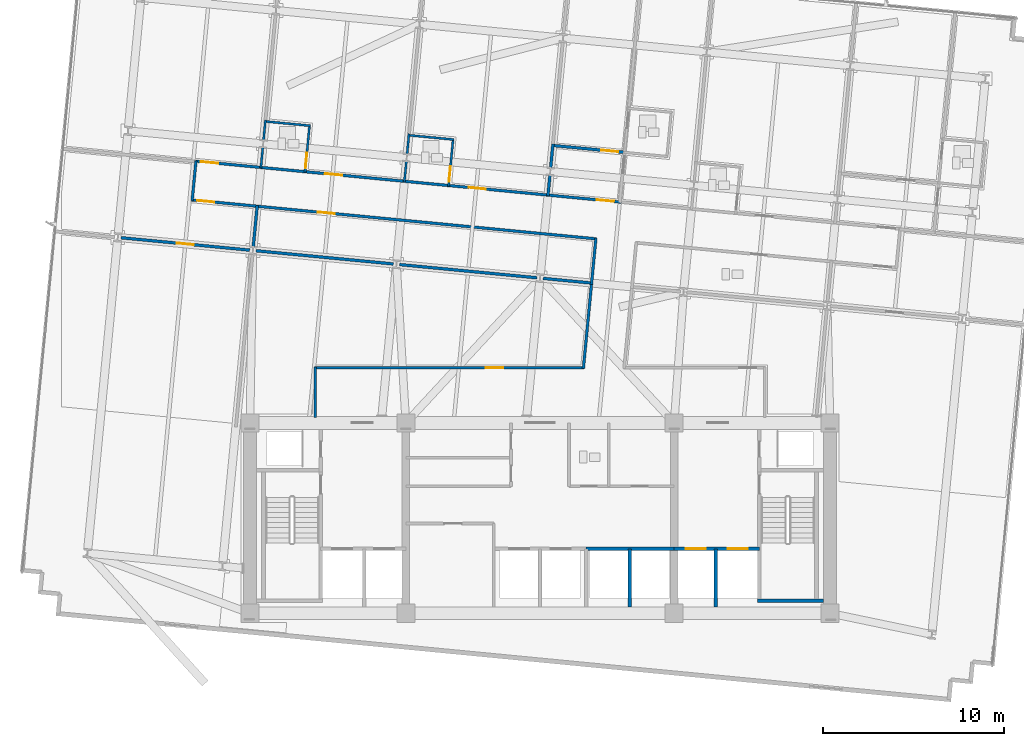
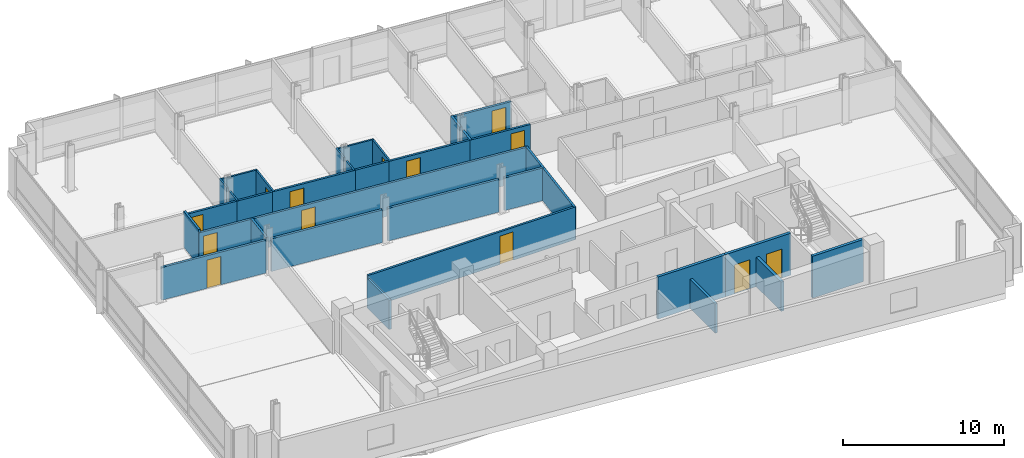
# One storey, part 11 of 18: 34 walls, 13 doors, 13 openings.
"""IFC4 building model written with IfcOpenShell, lengths in metres."""

from ifc_helpers import new_model, si_unit, direction, frame, frame_2d, origin, place, context, subcontext, project, spatial, rectangle, extrude, material, layer, layer_set, type_object, element, fill, save


model = new_model("IFC4")

# Units and contexts
model_context = context("Model", 3, precision=1e-05, world=origin(), true_north=direction((0.0, 1.0)))
body_context = subcontext(model_context, "Body", "Model", "MODEL_VIEW")
ifc_project = project(units=[si_unit("LENGTHUNIT", "METRE"), si_unit("AREAUNIT", "SQUARE_METRE"), si_unit("VOLUMEUNIT", "CUBIC_METRE"), si_unit("PLANEANGLEUNIT", "RADIAN"), si_unit("MASSUNIT", "GRAM", prefix="KILO")], contexts=[model_context])

# Site, building, storey
site_placement = place(None, origin())
site = spatial("IfcSite", under=ifc_project, at=site_placement, CompositionType="ELEMENT")
building_placement = place(site_placement, origin())
building = spatial("IfcBuilding", under=site, at=building_placement, Name="Solmavex Isthmus Hotel", CompositionType="ELEMENT")
storey_placement = place(building_placement, frame((0.0, 0.0, 135.89990234375)))
storey = spatial("IfcBuildingStorey", under=building, at=storey_placement, Name="L36", CompositionType="ELEMENT", Elevation=135.89990234375)

# Walls
ifc_material_1 = material(Name="Gypsum plasterboard lining", Category="gypsum")
ifc_layer_1 = layer(ifc_material_1, 0.159912109375)
ifc_layer_set_1 = layer_set([ifc_layer_1], Name="Gypsum plasterboard lining")
wall_type_1 = type_object("IfcWallType", Name="IW-COMP-160", PredefinedType="PARTITIONING", material=ifc_layer_set_1)
wall_1_placement = place(storey_placement, frame((0.55078125, 11.196044921875, 0.0), z_axis=(0.0, 0.0, 1.0), x_axis=(-0.096017994315, -0.995379598328, 0.0)))
element("IfcWall", 1, at=wall_1_placement, inside=storey, type_object=wall_type_1, Name="Interior Partition Wall W-L36-P038", PredefinedType="PARTITIONING", context=body_context, shape_type="SweptSolid", body=[
    extrude(rectangle(XDim=1.172119140625, YDim=0.159912109375, at=frame_2d((0.5859375, 0.0))), origin(), (0.0, 0.0, 1.0), 2.4794921875),
])
wall_2_placement = place(storey_placement, frame((0.713623046875, 12.88818359375, 0.0), z_axis=(0.0, 0.0, 1.0), x_axis=(-0.095809035449, -0.995399733136, 0.0)))
element("IfcWall", 2, at=wall_2_placement, inside=storey, type_object=wall_type_1, Name="Interior Partition Wall W-L36-P039", PredefinedType="PARTITIONING", context=body_context, shape_type="SweptSolid", body=[
    extrude(rectangle(XDim=1.347900390625, YDim=0.159912109375, at=frame_2d((0.673828125, 0.0))), origin(), (0.0, 0.0, 1.0), 2.4794921875),
])

# Wall, opening, door
wall_3_placement = place(storey_placement, frame((0.666015625, 12.810302734375, 0.0), z_axis=(0.0, 0.0, 1.0), x_axis=(0.995396785546, -0.095839654238, 0.0)))
wall_3 = element("IfcWall", 3, at=wall_3_placement, inside=storey, type_object=wall_type_1, Name="Interior Partition Wall W-L36-P042", PredefinedType="PARTITIONING", context=body_context, shape_type="SweptSolid", body=[
    extrude(rectangle(XDim=4.05810546875, YDim=0.159912109375, at=frame_2d((2.029052734375, 0.0))), origin(), (0.0, 0.0, 1.0), 2.4794921875),
])
opening_1_placement = place(wall_3_placement, frame((2.723388671875, 0.0, 0.0)))
opening_1 = element("IfcOpeningElement", 4, at=opening_1_placement, cuts=wall_3, Name="Opening ID-C095", PredefinedType="OPENING", context=body_context, shape_type="SweptSolid", body=[
    extrude(rectangle(XDim=0.949951171875, YDim=2.14990234375, at=frame_2d((0.47509765625, 1.074951171875))), frame((0.0, 0.08984375, 0.0), z_axis=(0.0, -1.0, 0.0), x_axis=(1.0, 0.0, 0.0)), (0.0, 0.0, 1.0), 0.179931640625),
])
ifc_material_2 = material(Name="Hardwood timber", Category="wood")
door_type_1 = type_object("IfcDoorType", Name="IDR-FD60-0950", OperationType="NOTDEFINED", PredefinedType="DOOR", material=ifc_material_2)
door_1_placement = place(opening_1_placement, origin())
door_1 = element("IfcDoor", 5, at=door_1_placement, inside=storey, type_object=door_type_1, Name="Diplomatic Suite Master Bedroom Door L36-07", OperationType="SINGLE_SWING_LEFT", OverallHeight=2.14990234375, OverallWidth=0.949951171875, PredefinedType="DOOR", context=body_context, shape_type="SweptSolid", body=[
    extrude(rectangle(XDim=0.949951171875, YDim=2.14990234375, at=frame_2d((0.47509765625, 1.074951171875))), frame((0.0, 0.02490234375, 0.0), z_axis=(0.0, -1.0, 0.0), x_axis=(1.0, 0.0, 0.0)), (0.0, 0.0, 1.0), 0.050048828125),
])
fill(opening_1, door_1)

# Wall
wall_4_placement = place(storey_placement, frame((-15.598876953125, 9.493896484375, 0.0), z_axis=(0.0, 0.0, 1.0), x_axis=(-0.09580488871, -0.995400132258, 0.0)))
element("IfcWall", 6, at=wall_4_placement, inside=storey, type_object=wall_type_1, Name="Interior Partition Wall W-L36-P071", PredefinedType="PARTITIONING", context=body_context, shape_type="SweptSolid", body=[
    extrude(rectangle(XDim=2.31396484375, YDim=0.159912109375, at=frame_2d((1.156982421875, 0.0))), origin(), (0.0, 0.0, 1.0), 2.4794921875),
])

# Wall, opening, door
wall_5_placement = place(storey_placement, frame((-16.0126953125, 7.0322265625, 0.0), z_axis=(0.0, 0.0, 1.0), x_axis=(-0.995394349304, 0.095864953831, 0.0)))
wall_5 = element("IfcWall", 7, at=wall_5_placement, inside=storey, type_object=wall_type_1, Name="Interior Partition Wall W-L36-P073", PredefinedType="PARTITIONING", context=body_context, shape_type="SweptSolid", body=[
    extrude(rectangle(XDim=7.135986328125, YDim=0.159912109375, at=frame_2d((3.56787109375, 0.0))), origin(), (0.0, 0.0, 1.0), 2.4794921875),
])
opening_2_placement = place(wall_5_placement, frame((3.093017578125, 0.0, 0.0)))
opening_2 = element("IfcOpeningElement", 8, at=opening_2_placement, cuts=wall_5, Name="Opening ID-C095", PredefinedType="OPENING", context=body_context, shape_type="SweptSolid", body=[
    extrude(rectangle(XDim=0.949951171875, YDim=2.14990234375, at=frame_2d((0.47509765625, 1.074951171875))), frame((0.0, 0.08984375, 0.0), z_axis=(0.0, -1.0, 0.0), x_axis=(1.0, 0.0, 0.0)), (0.0, 0.0, 1.0), 0.179931640625),
])
door_2_placement = place(opening_2_placement, origin())
door_2 = element("IfcDoor", 9, at=door_2_placement, inside=storey, type_object=door_type_1, Name="Corporate Briefing Office Door L36-22", OperationType="SINGLE_SWING_RIGHT", OverallHeight=2.14990234375, OverallWidth=0.949951171875, PredefinedType="DOOR", context=body_context, shape_type="SweptSolid", body=[
    extrude(rectangle(XDim=0.949951171875, YDim=2.14990234375, at=frame_2d((0.47509765625, 1.074951171875))), frame((0.0, 0.02490234375, 0.0), z_axis=(0.0, -1.0, 0.0), x_axis=(1.0, 0.0, 0.0)), (0.0, 0.0, 1.0), 0.050048828125),
])
fill(opening_2, door_2)

# Walls
for number, where, z_axis, x_axis, name in (
    (10, (-8.09326171875, 6.269775390625, 0.0), (0.0, 0.0, 1.0), (-0.995396962155, 0.095837819954, 0.0), "Interior Partition Wall W-L36-P076"),
    (11, (-0.173828125, 5.507080078125, 0.0), (0.0, 0.0, 1.0), (-0.995393898805, 0.095869631385, 0.0), "Interior Partition Wall W-L36-P077"),
):
    element("IfcWall", number, at=place(storey_placement, frame(where, z_axis=z_axis, x_axis=x_axis)), inside=storey, type_object=wall_type_1, Name=name, PredefinedType="PARTITIONING", context=body_context, shape_type="SweptSolid", body=[
        extrude(rectangle(XDim=7.60400390625, YDim=0.159912109375, at=frame_2d((3.802001953125, 0.0))), origin(), (0.0, 0.0, 1.0), 2.4794921875),
    ])
wall_6_placement = place(storey_placement, frame((2.885986328125, 5.212646484375, 0.0), z_axis=(0.0, 0.0, 1.0), x_axis=(-0.995401466761, 0.095791022391, 0.0)))
element("IfcWall", 12, at=wall_6_placement, inside=storey, type_object=wall_type_1, Name="Interior Partition Wall W-L36-P078", PredefinedType="PARTITIONING", context=body_context, shape_type="SweptSolid", body=[
    extrude(rectangle(XDim=2.721923828125, YDim=0.159912109375, at=frame_2d((1.36083984375, 0.0))), origin(), (0.0, 0.0, 1.0), 2.4794921875),
])

# Wall, opening, door
ifc_layer_2 = layer(ifc_material_1, 0.14990234375)
ifc_layer_set_2 = layer_set([ifc_layer_2], Name="Gypsum plasterboard lining")
wall_type_2 = type_object("IfcWallType", Name="IW-CORR-150", PredefinedType="PARTITIONING", material=ifc_layer_set_2)
wall_7_placement = place(storey_placement, frame((-19.019775390625, 11.943115234375, 0.0), z_axis=(0.0, 0.0, 1.0), x_axis=(0.995397364202, -0.095833644092, 0.0)))
wall_7 = element("IfcWall", 13, at=wall_7_placement, inside=storey, type_object=wall_type_2, Name="Interior Partition Wall W-L36-P001", PredefinedType="PARTITIONING", context=body_context, shape_type="SweptSolid", body=[
    extrude(rectangle(XDim=3.721923828125, YDim=0.14990234375, at=frame_2d((1.86083984375, 0.0))), origin(), (0.0, 0.0, 1.0), 2.4794921875),
])
opening_3_placement = place(wall_7_placement, frame((0.315185546875, 0.0, 0.0)))
opening_3 = element("IfcOpeningElement", 14, at=opening_3_placement, cuts=wall_7, Name="Opening ID-C095", PredefinedType="OPENING", context=body_context, shape_type="SweptSolid", body=[
    extrude(rectangle(XDim=0.949951171875, YDim=2.14990234375, at=frame_2d((0.47509765625, 1.074951171875))), frame((0.0, 0.0849609375, 0.0), z_axis=(0.0, -1.0, 0.0), x_axis=(1.0, 0.0, 0.0)), (0.0, 0.0, 1.0), 0.169921875),
])
door_3_placement = place(opening_3_placement, frame((0.949951171875, 0.0, 0.0), z_axis=(0.0, 0.0, 1.0), x_axis=(-1.0, 0.0, 0.0)))
door_3 = element("IfcDoor", 15, at=door_3_placement, inside=storey, type_object=door_type_1, Name="Executive Hospitality Lounge Door L36-01", OperationType="SINGLE_SWING_LEFT", OverallHeight=2.14990234375, OverallWidth=0.949951171875, PredefinedType="DOOR", context=body_context, shape_type="SweptSolid", body=[
    extrude(rectangle(XDim=0.949951171875, YDim=2.14990234375, at=frame_2d((0.47509765625, 1.074951171875))), frame((0.0, 0.02490234375, 0.0), z_axis=(0.0, -1.0, 0.0), x_axis=(1.0, 0.0, 0.0)), (0.0, 0.0, 1.0), 0.050048828125),
])
fill(opening_3, door_3)

wall_8_placement = place(storey_placement, frame((-13.03955078125, 11.3671875, 0.0), z_axis=(0.0, 0.0, 1.0), x_axis=(0.995396240334, -0.095845316679, 0.0)))
wall_8 = element("IfcWall", 16, at=wall_8_placement, inside=storey, type_object=wall_type_2, Name="Interior Partition Wall W-L36-P002", PredefinedType="PARTITIONING", context=body_context, shape_type="SweptSolid", body=[
    extrude(rectangle(XDim=5.670166015625, YDim=0.14990234375, at=frame_2d((2.8349609375, 0.0))), origin(), (0.0, 0.0, 1.0), 2.4794921875),
])
opening_4_placement = place(wall_8_placement, frame((1.18603515625, 0.0, 0.0)))
opening_4 = element("IfcOpeningElement", 17, at=opening_4_placement, cuts=wall_8, Name="Opening ID-C095", PredefinedType="OPENING", context=body_context, shape_type="SweptSolid", body=[
    extrude(rectangle(XDim=0.949951171875, YDim=2.14990234375, at=frame_2d((0.47509765625, 1.074951171875))), frame((0.0, 0.0849609375, 0.0), z_axis=(0.0, -1.0, 0.0), x_axis=(1.0, 0.0, 0.0)), (0.0, 0.0, 1.0), 0.169921875),
])
door_4_placement = place(opening_4_placement, frame((0.949951171875, 0.0, 0.0), z_axis=(0.0, 0.0, 1.0), x_axis=(-1.0, 0.0, 0.0)))
door_4 = element("IfcDoor", 18, at=door_4_placement, inside=storey, type_object=door_type_1, Name="Premier Suite Door L36-02", OperationType="SINGLE_SWING_RIGHT", OverallHeight=2.14990234375, OverallWidth=0.949951171875, PredefinedType="DOOR", context=body_context, shape_type="SweptSolid", body=[
    extrude(rectangle(XDim=0.949951171875, YDim=2.14990234375, at=frame_2d((0.47509765625, 1.074951171875))), frame((0.0, 0.02490234375, 0.0), z_axis=(0.0, -1.0, 0.0), x_axis=(1.0, 0.0, 0.0)), (0.0, 0.0, 1.0), 0.050048828125),
])
fill(opening_4, door_4)

# Wall
wall_9_placement = place(storey_placement, frame((-15.478271484375, 11.60205078125, 0.0), z_axis=(0.0, 0.0, 1.0), x_axis=(0.995398413865, -0.095822740911, 0.0)))
element("IfcWall", 19, at=wall_9_placement, inside=storey, type_object=wall_type_2, Name="Interior Partition Wall W-L36-P003", PredefinedType="PARTITIONING", context=body_context, shape_type="SweptSolid", body=[
    extrude(rectangle(XDim=2.614013671875, YDim=0.14990234375, at=frame_2d((1.30712890625, 0.0))), origin(), (0.0, 0.0, 1.0), 2.4794921875),
])

# Wall, opening, door
wall_10_placement = place(storey_placement, frame((-5.1201171875, 10.604736328125, 0.0), z_axis=(0.0, 0.0, 1.0), x_axis=(0.995395844771, -0.095849424686, 0.0)))
wall_10 = element("IfcWall", 20, at=wall_10_placement, inside=storey, type_object=wall_type_2, Name="Interior Partition Wall W-L36-P004", PredefinedType="PARTITIONING", context=body_context, shape_type="SweptSolid", body=[
    extrude(rectangle(XDim=5.669921875, YDim=0.14990234375, at=frame_2d((2.8349609375, 0.0))), origin(), (0.0, 0.0, 1.0), 2.4794921875),
])
opening_5_placement = place(wall_10_placement, frame((1.18603515625, 0.0, 0.0)))
opening_5 = element("IfcOpeningElement", 21, at=opening_5_placement, cuts=wall_10, Name="Opening ID-C095", PredefinedType="OPENING", context=body_context, shape_type="SweptSolid", body=[
    extrude(rectangle(XDim=0.949951171875, YDim=2.14990234375, at=frame_2d((0.47509765625, 1.074951171875))), frame((0.0, 0.0849609375, 0.0), z_axis=(0.0, -1.0, 0.0), x_axis=(1.0, 0.0, 0.0)), (0.0, 0.0, 1.0), 0.169921875),
])
door_5_placement = place(opening_5_placement, frame((0.949951171875, 0.0, 0.0), z_axis=(0.0, 0.0, 1.0), x_axis=(-1.0, 0.0, 0.0)))
door_5 = element("IfcDoor", 22, at=door_5_placement, inside=storey, type_object=door_type_1, Name="Ambassador Suite Door L36-04", OperationType="SINGLE_SWING_RIGHT", OverallHeight=2.14990234375, OverallWidth=0.949951171875, PredefinedType="DOOR", context=body_context, shape_type="SweptSolid", body=[
    extrude(rectangle(XDim=0.949951171875, YDim=2.14990234375, at=frame_2d((0.47509765625, 1.074951171875))), frame((0.0, 0.02490234375, 0.0), z_axis=(0.0, -1.0, 0.0), x_axis=(1.0, 0.0, 0.0)), (0.0, 0.0, 1.0), 0.050048828125),
])
fill(opening_5, door_5)

# Wall
wall_11_placement = place(storey_placement, frame((-7.558837890625, 10.839599609375, 0.0), z_axis=(0.0, 0.0, 1.0), x_axis=(0.995398413865, -0.095822740911, 0.0)))
element("IfcWall", 23, at=wall_11_placement, inside=storey, type_object=wall_type_2, Name="Interior Partition Wall W-L36-P005", PredefinedType="PARTITIONING", context=body_context, shape_type="SweptSolid", body=[
    extrude(rectangle(XDim=2.614013671875, YDim=0.14990234375, at=frame_2d((1.30712890625, 0.0))), origin(), (0.0, 0.0, 1.0), 2.4794921875),
])

# Wall, opening, door
wall_12_placement = place(storey_placement, frame((0.360595703125, 10.076904296875, 0.0), z_axis=(0.0, 0.0, 1.0), x_axis=(0.995396384826, -0.095843816055, 0.0)))
wall_12 = element("IfcWall", 24, at=wall_12_placement, inside=storey, type_object=wall_type_2, Name="Interior Partition Wall W-L36-P006", PredefinedType="PARTITIONING", context=body_context, shape_type="SweptSolid", body=[
    extrude(rectangle(XDim=4.141845703125, YDim=0.14990234375, at=frame_2d((2.07080078125, 0.0))), origin(), (0.0, 0.0, 1.0), 2.4794921875),
])
opening_6_placement = place(wall_12_placement, frame((2.790283203125, 0.0, 0.0)))
opening_6 = element("IfcOpeningElement", 25, at=opening_6_placement, cuts=wall_12, Name="Opening ID-C095", PredefinedType="OPENING", context=body_context, shape_type="SweptSolid", body=[
    extrude(rectangle(XDim=0.949951171875, YDim=2.14990234375, at=frame_2d((0.47509765625, 1.074951171875))), frame((0.0, 0.0849609375, 0.0), z_axis=(0.0, -1.0, 0.0), x_axis=(1.0, 0.0, 0.0)), (0.0, 0.0, 1.0), 0.169921875),
])
door_6_placement = place(opening_6_placement, frame((0.949951171875, 0.0, 0.0), z_axis=(0.0, 0.0, 1.0), x_axis=(-1.0, 0.0, 0.0)))
door_6 = element("IfcDoor", 26, at=door_6_placement, inside=storey, type_object=door_type_1, Name="Diplomatic Suite Entrance Hall Door L36-06", OperationType="SINGLE_SWING_RIGHT", OverallHeight=2.14990234375, OverallWidth=0.949951171875, PredefinedType="DOOR", context=body_context, shape_type="SweptSolid", body=[
    extrude(rectangle(XDim=0.949951171875, YDim=2.14990234375, at=frame_2d((0.47509765625, 1.074951171875))), frame((0.0, 0.02490234375, 0.0), z_axis=(0.0, -1.0, 0.0), x_axis=(1.0, 0.0, 0.0)), (0.0, 0.0, 1.0), 0.050048828125),
])
fill(opening_6, door_6)

wall_13_placement = place(storey_placement, frame((-15.52099609375, 9.4462890625, 0.0), z_axis=(0.0, 0.0, 1.0), x_axis=(-0.995397364202, 0.095833644092, 0.0)))
wall_13 = element("IfcWall", 27, at=wall_13_placement, inside=storey, type_object=wall_type_2, Name="Interior Partition Wall W-L36-P013", PredefinedType="PARTITIONING", context=body_context, shape_type="SweptSolid", body=[
    extrude(rectangle(XDim=3.721923828125, YDim=0.14990234375, at=frame_2d((1.86083984375, 0.0))), origin(), (0.0, 0.0, 1.0), 2.4794921875),
])
opening_7_placement = place(wall_13_placement, frame((2.456787109375, 0.0, 0.0)))
opening_7 = element("IfcOpeningElement", 28, at=opening_7_placement, cuts=wall_13, Name="Opening ID-C095", PredefinedType="OPENING", context=body_context, shape_type="SweptSolid", body=[
    extrude(rectangle(XDim=0.949951171875, YDim=2.14990234375, at=frame_2d((0.47509765625, 1.074951171875))), frame((0.0, 0.0849609375, 0.0), z_axis=(0.0, -1.0, 0.0), x_axis=(1.0, 0.0, 0.0)), (0.0, 0.0, 1.0), 0.169921875),
])
door_7_placement = place(opening_7_placement, frame((0.949951171875, 0.0, 0.0), z_axis=(0.0, 0.0, 1.0), x_axis=(-1.0, 0.0, 0.0)))
door_7 = element("IfcDoor", 29, at=door_7_placement, inside=storey, type_object=door_type_1, Name="Catering Servery Kitchen Door L36-17", OperationType="SINGLE_SWING_LEFT", OverallHeight=2.14990234375, OverallWidth=0.949951171875, PredefinedType="DOOR", context=body_context, shape_type="SweptSolid", body=[
    extrude(rectangle(XDim=0.949951171875, YDim=2.14990234375, at=frame_2d((0.47509765625, 1.074951171875))), frame((0.0, 0.02490234375, 0.0), z_axis=(0.0, -1.0, 0.0), x_axis=(1.0, 0.0, 0.0)), (0.0, 0.0, 1.0), 0.050048828125),
])
fill(opening_7, door_7)

# Walls
wall_14_placement = place(storey_placement, frame((-19.18994140625, 9.75927734375, 0.0), z_axis=(0.0, 0.0, 1.0), x_axis=(0.095882898123, 0.995392620953, 0.0)))
element("IfcWall", 30, at=wall_14_placement, inside=storey, type_object=wall_type_2, Name="Interior Partition Wall W-L36-P014", PredefinedType="PARTITIONING", context=body_context, shape_type="SweptSolid", body=[
    extrude(rectangle(XDim=2.210205078125, YDim=0.14990234375, at=frame_2d((1.10498046875, 0.0))), origin(), (0.0, 0.0, 1.0), 2.71826171875),
])
wall_15_placement = place(storey_placement, frame((2.83837890625, 5.134765625, 0.0), z_axis=(0.0, 0.0, 1.0), x_axis=(0.095772090971, 0.995403288417, 0.0)))
element("IfcWall", 31, at=wall_15_placement, inside=storey, type_object=wall_type_2, Name="Interior Partition Wall W-L36-P017", PredefinedType="PARTITIONING", context=body_context, shape_type="SweptSolid", body=[
    extrude(rectangle(XDim=2.572021484375, YDim=0.14990234375, at=frame_2d((1.2861328125, 0.0))), origin(), (0.0, 0.0, 1.0), 2.4794921875),
])

# Wall, opening, door
wall_16_placement = place(storey_placement, frame((3.120849609375, 7.6513671875, 0.0), z_axis=(0.0, 0.0, 1.0), x_axis=(-0.995397135603, 0.095836018457, 0.0)))
wall_16 = element("IfcWall", 32, at=wall_16_placement, inside=storey, type_object=wall_type_2, Name="Interior Partition Wall W-L36-P018", PredefinedType="PARTITIONING", context=body_context, shape_type="SweptSolid", body=[
    extrude(rectangle(XDim=18.89208984375, YDim=0.14990234375, at=frame_2d((9.446044921875, 0.0))), origin(), (0.0, 0.0, 1.0), 2.4794921875),
])
opening_8_placement = place(wall_16_placement, frame((14.501708984375, 0.0, 0.0)))
opening_8 = element("IfcOpeningElement", 33, at=opening_8_placement, cuts=wall_16, Name="Opening ID-C095", PredefinedType="OPENING", context=body_context, shape_type="SweptSolid", body=[
    extrude(rectangle(XDim=0.949951171875, YDim=2.14990234375, at=frame_2d((0.47509765625, 1.074951171875))), frame((0.0, 0.0849609375, 0.0), z_axis=(0.0, -1.0, 0.0), x_axis=(1.0, 0.0, 0.0)), (0.0, 0.0, 1.0), 0.169921875),
])
door_8_placement = place(opening_8_placement, frame((0.949951171875, 0.0, 0.0), z_axis=(0.0, 0.0, 1.0), x_axis=(-1.0, 0.0, 0.0)))
door_8 = element("IfcDoor", 34, at=door_8_placement, inside=storey, type_object=door_type_1, Name="Catering Servery Kitchen Door L36-19", OperationType="SINGLE_SWING_LEFT", OverallHeight=2.14990234375, OverallWidth=0.949951171875, PredefinedType="DOOR", context=body_context, shape_type="SweptSolid", body=[
    extrude(rectangle(XDim=0.949951171875, YDim=2.14990234375, at=frame_2d((0.47509765625, 1.074951171875))), frame((0.0, 0.02490234375, 0.0), z_axis=(0.0, -1.0, 0.0), x_axis=(1.0, 0.0, 0.0)), (0.0, 0.0, 1.0), 0.050048828125),
])
fill(opening_8, door_8)

# Wall
wall_17_placement = place(storey_placement, frame((-12.39990234375, -2.18994140625, 0.0), z_axis=(0.0, 0.0, 1.0), x_axis=(0.0, 1.0, 0.0)))
element("IfcWall", 35, at=wall_17_placement, inside=storey, type_object=wall_type_2, Name="Interior Partition Wall W-L36-P022", PredefinedType="PARTITIONING", context=body_context, shape_type="SweptSolid", body=[
    extrude(rectangle(XDim=2.780029296875, YDim=0.14990234375, at=frame_2d((1.39013671875, 0.0))), origin(), (0.0, 0.0, 1.0), 2.22509765625),
])

# Wall, opening, door
wall_18_placement = place(storey_placement, frame((-12.43994140625, 0.550048828125, 0.0), z_axis=(0.0, 0.0, 1.0), x_axis=(1.0, 0.0, 0.0)))
wall_18 = element("IfcWall", 36, at=wall_18_placement, inside=storey, type_object=wall_type_2, Name="Interior Partition Wall W-L36-P023", PredefinedType="PARTITIONING", context=body_context, shape_type="SweptSolid", body=[
    extrude(rectangle(XDim=14.876708984375, YDim=0.14990234375, at=frame_2d((7.4384765625, 0.0))), origin(), (0.0, 0.0, 1.0), 2.4794921875),
])
opening_9_placement = place(wall_18_placement, frame((9.44921875, 0.0, 0.0)))
opening_9 = element("IfcOpeningElement", 37, at=opening_9_placement, cuts=wall_18, Name="Opening ID-C095", PredefinedType="OPENING", context=body_context, shape_type="SweptSolid", body=[
    extrude(rectangle(XDim=0.949951171875, YDim=2.14990234375, at=frame_2d((0.47509765625, 1.074951171875))), frame((0.0, 0.0849609375, 0.0), z_axis=(0.0, -1.0, 0.0), x_axis=(1.0, 0.0, 0.0)), (0.0, 0.0, 1.0), 0.169921875),
])
door_9_placement = place(opening_9_placement, frame((0.949951171875, 0.0, 0.0), z_axis=(0.0, 0.0, 1.0), x_axis=(-1.0, 0.0, 0.0)))
door_9 = element("IfcDoor", 38, at=door_9_placement, inside=storey, type_object=door_type_1, Name="Catering Servery Kitchen Door L36-23", OperationType="SINGLE_SWING_LEFT", OverallHeight=2.14990234375, OverallWidth=0.949951171875, PredefinedType="DOOR", context=body_context, shape_type="SweptSolid", body=[
    extrude(rectangle(XDim=0.949951171875, YDim=2.14990234375, at=frame_2d((0.47509765625, 1.074951171875))), frame((0.0, 0.02490234375, 0.0), z_axis=(0.0, -1.0, 0.0), x_axis=(1.0, 0.0, 0.0)), (0.0, 0.0, 1.0), 0.050048828125),
])
fill(opening_9, door_9)

# Walls
wall_19_placement = place(storey_placement, frame((2.39306640625, 0.51025390625, 0.0), z_axis=(0.0, 0.0, 1.0), x_axis=(0.095829431913, 0.995397769728, 0.0)))
element("IfcWall", 39, at=wall_19_placement, inside=storey, type_object=wall_type_2, Name="Interior Partition Wall W-L36-P024", PredefinedType="PARTITIONING", context=body_context, shape_type="SweptSolid", body=[
    extrude(rectangle(XDim=4.81005859375, YDim=0.14990234375, at=frame_2d((2.405029296875, 0.0))), origin(), (0.0, 0.0, 1.0), 2.4794921875),
])
ifc_layer_3 = layer(ifc_material_1, 0.1201171875)
ifc_layer_set_3 = layer_set([ifc_layer_3], Name="Gypsum plasterboard lining")
wall_type_3 = type_object("IfcWallType", Name="IW-PART-120", PredefinedType="PARTITIONING", material=ifc_layer_set_3)
wall_20_placement = place(storey_placement, frame((-15.2880859375, 12.720947265625, 0.0), z_axis=(0.0, 0.0, 1.0), x_axis=(-0.095831494917, -0.995397571115, 0.0)))
element("IfcWall", 40, at=wall_20_placement, inside=storey, type_object=wall_type_3, Name="Interior Partition Wall W-L36-P027", PredefinedType="PARTITIONING", context=body_context, shape_type="SweptSolid", body=[
    extrude(rectangle(XDim=1.171875, YDim=0.1201171875, at=frame_2d((0.5859375, 0.0))), origin(), (0.0, 0.0, 1.0), 2.4794921875),
])
wall_21_placement = place(storey_placement, frame((-15.144287109375, 14.214111328125, 0.0), z_axis=(0.0, 0.0, 1.0), x_axis=(-0.09590284245, -0.99539069958, 0.0)))
element("IfcWall", 41, at=wall_21_placement, inside=storey, type_object=wall_type_3, Name="Interior Partition Wall W-L36-P028", PredefinedType="PARTITIONING", context=body_context, shape_type="SweptSolid", body=[
    extrude(rectangle(XDim=1.148193359375, YDim=0.1201171875, at=frame_2d((0.57421875, 0.0))), origin(), (0.0, 0.0, 1.0), 2.4794921875),
])

# Wall, opening, door
wall_22_placement = place(storey_placement, frame((-12.961669921875, 11.319580078125, 0.0), z_axis=(0.0, 0.0, 1.0), x_axis=(0.095799078022, 0.995400691506, 0.0)))
wall_22 = element("IfcWall", 42, at=wall_22_placement, inside=storey, type_object=wall_type_3, Name="Interior Partition Wall W-L36-P030", PredefinedType="PARTITIONING", context=body_context, shape_type="SweptSolid", body=[
    extrude(rectangle(XDim=2.630126953125, YDim=0.1201171875, at=frame_2d((1.31494140625, 0.0))), origin(), (0.0, 0.0, 1.0), 2.4794921875),
])
opening_10_placement = place(wall_22_placement, frame((0.247314453125, 0.0, 0.0)))
opening_10 = element("IfcOpeningElement", 43, at=opening_10_placement, cuts=wall_22, Name="Opening ID-U085", PredefinedType="OPENING", context=body_context, shape_type="SweptSolid", body=[
    extrude(rectangle(XDim=0.85009765625, YDim=2.10009765625, at=frame_2d((0.425048828125, 1.050048828125))), frame((0.0, 0.070068359375, 0.0), z_axis=(0.0, -1.0, 0.0), x_axis=(1.0, 0.0, 0.0)), (0.0, 0.0, 1.0), 0.14013671875),
])
door_type_2 = type_object("IfcDoorType", Name="IDR-UNR-0850", OperationType="NOTDEFINED", PredefinedType="DOOR", material=ifc_material_2)
door_10_placement = place(opening_10_placement, frame((0.85009765625, 0.0, 0.0), z_axis=(0.0, 0.0, 1.0), x_axis=(-1.0, 0.0, 0.0)))
door_10 = element("IfcDoor", 44, at=door_10_placement, inside=storey, type_object=door_type_2, Name="En-suite Bathroom Door L36-03", OperationType="SINGLE_SWING_LEFT", OverallHeight=2.10009765625, OverallWidth=0.85009765625, PredefinedType="DOOR", context=body_context, shape_type="SweptSolid", body=[
    extrude(rectangle(XDim=0.85009765625, YDim=2.10009765625, at=frame_2d((0.425048828125, 1.050048828125))), frame((0.0, 0.02490234375, 0.0), z_axis=(0.0, -1.0, 0.0), x_axis=(1.0, 0.0, 0.0)), (0.0, 0.0, 1.0), 0.050048828125),
])
fill(opening_10, door_10)

# Walls
wall_23_placement = place(storey_placement, frame((-12.673583984375, 13.893798828125, 0.0), z_axis=(0.0, 0.0, 1.0), x_axis=(-0.995398237687, 0.095824571015, 0.0)))
element("IfcWall", 45, at=wall_23_placement, inside=storey, type_object=wall_type_3, Name="Interior Partition Wall W-L36-P031", PredefinedType="PARTITIONING", context=body_context, shape_type="SweptSolid", body=[
    extrude(rectangle(XDim=2.530029296875, YDim=0.1201171875, at=frame_2d((1.26513671875, 0.0))), origin(), (0.0, 0.0, 1.0), 2.4794921875),
])
wall_24_placement = place(storey_placement, frame((-7.36865234375, 11.95849609375, 0.0), z_axis=(0.0, 0.0, 1.0), x_axis=(-0.095831494917, -0.995397571115, 0.0)))
element("IfcWall", 46, at=wall_24_placement, inside=storey, type_object=wall_type_3, Name="Interior Partition Wall W-L36-P034", PredefinedType="PARTITIONING", context=body_context, shape_type="SweptSolid", body=[
    extrude(rectangle(XDim=1.171875, YDim=0.1201171875, at=frame_2d((0.5859375, 0.0))), origin(), (0.0, 0.0, 1.0), 2.4794921875),
])
wall_25_placement = place(storey_placement, frame((-7.224853515625, 13.45166015625, 0.0), z_axis=(0.0, 0.0, 1.0), x_axis=(-0.09590284245, -0.99539069958, 0.0)))
element("IfcWall", 47, at=wall_25_placement, inside=storey, type_object=wall_type_3, Name="Interior Partition Wall W-L36-P035", PredefinedType="PARTITIONING", context=body_context, shape_type="SweptSolid", body=[
    extrude(rectangle(XDim=1.148193359375, YDim=0.1201171875, at=frame_2d((0.57421875, 0.0))), origin(), (0.0, 0.0, 1.0), 2.4794921875),
])

# Wall, opening, door
wall_26_placement = place(storey_placement, frame((-5.042236328125, 10.55712890625, 0.0), z_axis=(0.0, 0.0, 1.0), x_axis=(0.095799078022, 0.995400691506, 0.0)))
wall_26 = element("IfcWall", 48, at=wall_26_placement, inside=storey, type_object=wall_type_3, Name="Interior Partition Wall W-L36-P036", PredefinedType="PARTITIONING", context=body_context, shape_type="SweptSolid", body=[
    extrude(rectangle(XDim=2.630126953125, YDim=0.1201171875, at=frame_2d((1.31494140625, 0.0))), origin(), (0.0, 0.0, 1.0), 2.4794921875),
])
opening_11_placement = place(wall_26_placement, frame((0.247314453125, 0.0, 0.0)))
opening_11 = element("IfcOpeningElement", 49, at=opening_11_placement, cuts=wall_26, Name="Opening ID-U085", PredefinedType="OPENING", context=body_context, shape_type="SweptSolid", body=[
    extrude(rectangle(XDim=0.85009765625, YDim=2.10009765625, at=frame_2d((0.425048828125, 1.050048828125))), frame((0.0, 0.070068359375, 0.0), z_axis=(0.0, -1.0, 0.0), x_axis=(1.0, 0.0, 0.0)), (0.0, 0.0, 1.0), 0.14013671875),
])
door_11_placement = place(opening_11_placement, frame((0.85009765625, 0.0, 0.0), z_axis=(0.0, 0.0, 1.0), x_axis=(-1.0, 0.0, 0.0)))
door_11 = element("IfcDoor", 50, at=door_11_placement, inside=storey, type_object=door_type_2, Name="En-suite Bathroom Door L36-05", OperationType="SINGLE_SWING_LEFT", OverallHeight=2.10009765625, OverallWidth=0.85009765625, PredefinedType="DOOR", context=body_context, shape_type="SweptSolid", body=[
    extrude(rectangle(XDim=0.85009765625, YDim=2.10009765625, at=frame_2d((0.425048828125, 1.050048828125))), frame((0.0, 0.02490234375, 0.0), z_axis=(0.0, -1.0, 0.0), x_axis=(1.0, 0.0, 0.0)), (0.0, 0.0, 1.0), 0.050048828125),
])
fill(opening_11, door_11)

# Walls
wall_27_placement = place(storey_placement, frame((-4.754150390625, 13.13134765625, 0.0), z_axis=(0.0, 0.0, 1.0), x_axis=(-0.995399123656, 0.09581536737, 0.0)))
element("IfcWall", 51, at=wall_27_placement, inside=storey, type_object=wall_type_3, Name="Interior Partition Wall W-L36-P037", PredefinedType="PARTITIONING", context=body_context, shape_type="SweptSolid", body=[
    extrude(rectangle(XDim=2.5302734375, YDim=0.1201171875, at=frame_2d((1.26513671875, 0.0))), origin(), (0.0, 0.0, 1.0), 2.4794921875),
])
ifc_material_3 = material(Name="Concrete C40/50", Category="concrete")
ifc_layer_4 = layer(ifc_material_3, 0.179931640625)
ifc_layer_set_4 = layer_set([ifc_layer_4], Name="Concrete C40/50")
wall_type_4 = type_object("IfcWallType", Name="IW-SHAFT-180", PredefinedType="PARTITIONING", material=ifc_layer_set_4)
wall_28_placement = place(storey_placement, frame((4.949951171875, -12.64990234375, 0.0), z_axis=(0.0, 0.0, 1.0), x_axis=(0.0, 1.0, 0.0)))
element("IfcWall", 52, at=wall_28_placement, inside=storey, type_object=wall_type_4, Name="Interior Partition Wall W-L36-SH-PLH-M", PredefinedType="PARTITIONING", context=body_context, shape_type="SweptSolid", body=[
    extrude(rectangle(XDim=3.199951171875, YDim=0.179931640625, at=frame_2d((1.60009765625, 0.0))), origin(), (0.0, 0.0, 1.0), 2.22509765625),
])

# Wall, openings, doors
ifc_layer_5 = layer(ifc_material_3, 0.199951171875)
ifc_layer_set_5 = layer_set([ifc_layer_5], Name="Concrete C40/50")
wall_type_5 = type_object("IfcWallType", Name="IW-SHAFT-200", PredefinedType="PARTITIONING", material=ifc_layer_set_5)
wall_29_placement = place(storey_placement, frame((7.39990234375, -9.449951171875, 0.0), z_axis=(0.0, 0.0, 1.0), x_axis=(1.0, 0.0, 0.0)))
wall_29 = element("IfcWall", 53, at=wall_29_placement, inside=storey, type_object=wall_type_5, Name="Interior Partition Wall W-L36-FFLE-S", PredefinedType="PARTITIONING", context=body_context, shape_type="SweptSolid", body=[
    extrude(rectangle(XDim=4.7001953125, YDim=0.199951171875, at=frame_2d((2.35009765625, 0.0))), origin(), (0.0, 0.0, 1.0), 3.190185546875),
])
opening_12_placement = place(wall_29_placement, frame((2.949951171875, 0.0, 0.0)))
opening_12 = element("IfcOpeningElement", 54, at=opening_12_placement, cuts=wall_29, Name="Opening LD-FF", PredefinedType="OPENING", context=body_context, shape_type="SweptSolid", body=[
    extrude(rectangle(XDim=1.10009765625, YDim=2.199951171875, at=frame_2d((0.550048828125, 1.10009765625))), frame((0.0, 0.10986328125, 0.0), z_axis=(0.0, -1.0, 0.0), x_axis=(1.0, 0.0, 0.0)), (0.0, 0.0, 1.0), 0.219970703125),
])
opening_13_placement = place(wall_29_placement, frame((0.64990234375, 0.0, 0.0)))
opening_13 = element("IfcOpeningElement", 55, at=opening_13_placement, cuts=wall_29, Name="Opening LD-SV", PredefinedType="OPENING", context=body_context, shape_type="SweptSolid", body=[
    extrude(rectangle(XDim=1.10009765625, YDim=2.199951171875, at=frame_2d((0.550048828125, 1.10009765625))), frame((0.0, 0.10986328125, 0.0), z_axis=(0.0, -1.0, 0.0), x_axis=(1.0, 0.0, 0.0)), (0.0, 0.0, 1.0), 0.219970703125),
])
ifc_material_4 = material(Name="Stainless steel 316", Category="steel")
door_type_3 = type_object("IfcDoorType", Name="LDR-FF-1100", OperationType="NOTDEFINED", PredefinedType="DOOR", material=ifc_material_4)
door_12_placement = place(opening_12_placement, origin())
door_12 = element("IfcDoor", 56, at=door_12_placement, inside=storey, type_object=door_type_3, Name="Lift Landing Door FFL-2 L36", OperationType="SLIDING_TO_LEFT", OverallHeight=2.199951171875, OverallWidth=1.10009765625, PredefinedType="DOOR", context=body_context, shape_type="SweptSolid", body=[
    extrude(rectangle(XDim=1.10009765625, YDim=2.199951171875, at=frame_2d((0.550048828125, 1.10009765625))), frame((0.0, 0.02490234375, 0.0), z_axis=(0.0, -1.0, 0.0), x_axis=(1.0, 0.0, 0.0)), (0.0, 0.0, 1.0), 0.050048828125),
])
fill(opening_12, door_12)
door_type_4 = type_object("IfcDoorType", Name="LDR-SV-1100", OperationType="NOTDEFINED", PredefinedType="DOOR", material=ifc_material_4)
door_13_placement = place(opening_13_placement, origin())
door_13 = element("IfcDoor", 57, at=door_13_placement, inside=storey, type_object=door_type_4, Name="Lift Landing Door SVL-2 L36", OperationType="SLIDING_TO_RIGHT", OverallHeight=2.199951171875, OverallWidth=1.10009765625, PredefinedType="DOOR", context=body_context, shape_type="SweptSolid", body=[
    extrude(rectangle(XDim=1.10009765625, YDim=2.199951171875, at=frame_2d((0.550048828125, 1.10009765625))), frame((0.0, 0.02490234375, 0.0), z_axis=(0.0, -1.0, 0.0), x_axis=(1.0, 0.0, 0.0)), (0.0, 0.0, 1.0), 0.050048828125),
])
fill(opening_13, door_13)

# Walls
wall_30_placement = place(storey_placement, frame((9.699951171875, -12.64990234375, 0.0), z_axis=(0.0, 0.0, 1.0), x_axis=(0.0, 1.0, 0.0)))
element("IfcWall", 58, at=wall_30_placement, inside=storey, type_object=wall_type_5, Name="Interior Partition Wall W-L36-FFLE-M", PredefinedType="PARTITIONING", context=body_context, shape_type="SweptSolid", body=[
    extrude(rectangle(XDim=3.199951171875, YDim=0.199951171875, at=frame_2d((1.60009765625, 0.0))), origin(), (0.0, 0.0, 1.0), 2.22509765625),
])
wall_31_placement = place(storey_placement, frame((2.550048828125, -9.449951171875, 0.0), z_axis=(0.0, 0.0, 1.0), x_axis=(1.0, 0.0, 0.0)))
element("IfcWall", 59, at=wall_31_placement, inside=storey, type_object=wall_type_5, Name="Interior Partition Wall W-L36-SH-PLH", PredefinedType="PARTITIONING", context=body_context, shape_type="SweptSolid", body=[
    extrude(rectangle(XDim=4.849853515625, YDim=0.199951171875, at=frame_2d((2.4248046875, 0.0))), origin(), (0.0, 0.0, 1.0), 3.190185546875),
])
ifc_layer_6 = layer(ifc_material_3, 0.199951171875)
ifc_layer_set_6 = layer_set([ifc_layer_6], Name="Concrete C40/50")
wall_type_6 = type_object("IfcWallType", Name="WALL-SW-200", PredefinedType="SOLIDWALL", material=ifc_layer_set_6)
wall_32_placement = place(storey_placement, frame((12.0, -12.300048828125, 0.0), z_axis=(0.0, 0.0, 1.0), x_axis=(1.0, 0.0, 0.0)))
element("IfcWall", 60, at=wall_32_placement, inside=storey, type_object=wall_type_6, Name="Stairwell Structural Wall SW-L36-ST2-S", PredefinedType="SOLIDWALL", context=body_context, shape_type="SweptSolid", body=[
    extrude(rectangle(XDim=3.64990234375, YDim=0.199951171875, at=frame_2d((1.824951171875, 0.0))), origin(), (0.0, 0.0, 1.0), 3.190185546875),
])

save(model, "model.ifc")
